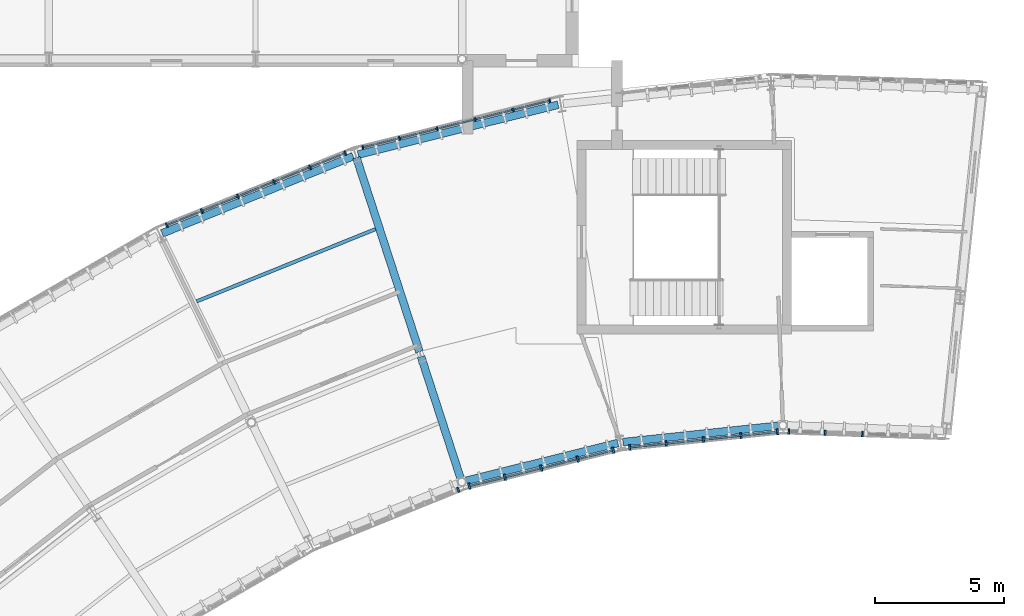
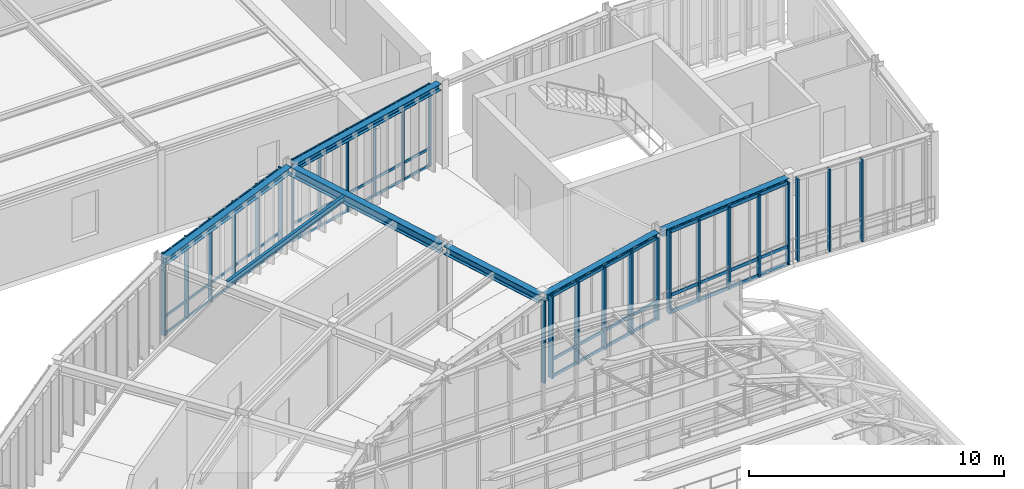
# One storey, part 87 of 148: 38 members, 7 beams, 6 elements without a shape of their own.
"""IFC4 building model written with IfcOpenShell, lengths in metres."""

from ifc_helpers import new_model, si_unit, direction, frame, origin, origin_2d, place, context, subcontext, project, spatial, rectangle, i_section, extrude, material, layer, layer_set, material_profile, profile_set, type_object, element, aggregate, save


model = new_model("IFC4")

# Units and contexts
model_context = context("Model", 3, precision=1e-05, world=origin(), true_north=direction((0.0, 1.0)))
body_context = subcontext(model_context, "Body", "Model", "MODEL_VIEW")
ifc_project = project(units=[si_unit("LENGTHUNIT", "METRE"), si_unit("AREAUNIT", "SQUARE_METRE"), si_unit("VOLUMEUNIT", "CUBIC_METRE"), si_unit("PLANEANGLEUNIT", "RADIAN"), si_unit("MASSUNIT", "GRAM", prefix="KILO"), si_unit("THERMODYNAMICTEMPERATUREUNIT", "KELVIN"), si_unit("POWERUNIT", "WATT")], contexts=[model_context])

# Site, building, storey
site_placement = place(None, origin())
site = spatial("IfcSite", under=ifc_project, at=site_placement, CompositionType="ELEMENT")
building_placement = place(site_placement, origin())
building = spatial("IfcBuilding", under=site, at=building_placement, Name="Solvatero Civic Police Headquarters", CompositionType="ELEMENT")
storey_placement = place(building_placement, frame((0.0, 0.0, 5.10009765625)))
storey = spatial("IfcBuildingStorey", under=building, at=storey_placement, Name="L01", CompositionType="ELEMENT", Elevation=5.10009765625)

# Beams
ifc_material_1 = material(Name="Steel S355", Category="steel")
ifc_material_profile_1 = material_profile(ifc_material_1, i_section(OverallWidth=0.300048828125, OverallDepth=0.2900390625, WebThickness=0.008544921875, FlangeThickness=0.013916015625, FilletRadius=0.027099609375, at=origin_2d()), Name="HEA 300")
ifc_profile_set_1 = profile_set([ifc_material_profile_1], Name="Steel S355")
beam_type_1 = type_object("IfcBeamType", Name="BM-ST-HEA300", PredefinedType="SPANDREL", material=ifc_profile_set_1)
for number, where, z_axis, x_axis, name in (
    (1, (92.31787109375, 71.31201171875, 3.8349609375), (-0.994518545743, -0.104560327912, 0.0), (0.104560327912, -0.994518545743, 0.0), "Perimeter / radial spandrel beam BM-R2-L01-ARC-CIN-B02"),
    (2, (86.028076171875, 70.63671875, 3.8349609375), (-0.970299338414, -0.241907407643, 0.0), (0.241907407643, -0.970299338414, 0.0), "Perimeter / radial spandrel beam BM-R2-L01-ARC-CIN-B03"),
):
    element("IfcBeam", number, at=place(storey_placement, frame(where, z_axis=z_axis, x_axis=x_axis)), inside=storey, type_object=beam_type_1, Name=name, PredefinedType="SPANDREL", context=body_context, shape_type="SweptSolid", body=[
        extrude(i_section(OverallWidth=0.300048828125, OverallDepth=0.2900390625, WebThickness=0.008544921875, FlangeThickness=0.013916015625, FilletRadius=0.027099609375, at=origin_2d()), origin(), (0.0, 0.0, 1.0), 6.126953125),
    ])
ifc_material_profile_2 = material_profile(ifc_material_1, i_section(OverallWidth=0.300048828125, OverallDepth=0.31005859375, WebThickness=0.009033203125, FlangeThickness=0.015380859375, FilletRadius=0.027099609375, at=origin_2d()), Name="HEA 320")
ifc_profile_set_2 = profile_set([ifc_material_profile_2], Name="Steel S355")
beam_type_2 = type_object("IfcBeamType", Name="BM-ST-HEA320", PredefinedType="SPANDREL", material=ifc_profile_set_2)
beam_1_placement = place(storey_placement, frame((83.718505859375, 83.73486328125, 3.824951171875), z_axis=(-0.970295230115, -0.241923885586, 0.0), x_axis=(0.241923885586, -0.970295230115, 0.0)))
element("IfcBeam", 3, at=beam_1_placement, inside=storey, type_object=beam_type_2, Name="Perimeter / radial spandrel beam BM-R2-L01-ARC-COUT-B03", PredefinedType="SPANDREL", context=body_context, shape_type="SweptSolid", body=[
    extrude(i_section(OverallWidth=0.300048828125, OverallDepth=0.31005859375, WebThickness=0.009033203125, FlangeThickness=0.015380859375, FilletRadius=0.027099609375, at=origin_2d()), origin(), (0.0, 0.0, 1.0), 7.982421875),
])
beam_2_placement = place(storey_placement, frame((75.783447265625, 81.741943359375, 3.824951171875), z_axis=(-0.927188731, -0.374594523594, 0.0), x_axis=(0.374594523594, -0.927188731, 0.0)))
element("IfcBeam", 4, at=beam_2_placement, inside=storey, type_object=beam_type_2, Name="Perimeter / radial spandrel beam BM-R2-L01-ARC-COUT-B04", PredefinedType="SPANDREL", context=body_context, shape_type="SweptSolid", body=[
    extrude(i_section(OverallWidth=0.300048828125, OverallDepth=0.31005859375, WebThickness=0.009033203125, FlangeThickness=0.015380859375, FilletRadius=0.027099609375, at=origin_2d()), origin(), (0.0, 0.0, 1.0), 7.982666015625),
])
ifc_material_profile_3 = material_profile(ifc_material_1, i_section(OverallWidth=0.300048828125, OverallDepth=0.389892578125, WebThickness=0.010986328125, FlangeThickness=0.01904296875, FilletRadius=0.027099609375, at=origin_2d()), Name="HEA 400")
ifc_profile_set_3 = profile_set([ifc_material_profile_3], Name="Steel S355")
beam_type_3 = type_object("IfcBeamType", Name="BM-ST-HEA400", PredefinedType="BEAM", material=ifc_profile_set_3)
beam_3_placement = place(storey_placement, frame((79.955078125, 69.2255859375, 3.784912109375), z_axis=(-0.308996636599, 0.951063130697, 0.0), x_axis=(-0.951063130697, -0.308996636599, 0.0)))
element("IfcBeam", 5, at=beam_3_placement, inside=storey, type_object=beam_type_3, Name="Primary girder BM-R2-L01-ARC-RAD1-S03", PredefinedType="BEAM", context=body_context, shape_type="SweptSolid", body=[
    extrude(i_section(OverallWidth=0.300048828125, OverallDepth=0.389892578125, WebThickness=0.010986328125, FlangeThickness=0.01904296875, FilletRadius=0.027099609375, at=origin_2d()), origin(), (0.0, 0.0, 1.0), 4.999755859375),
])
ifc_material_profile_4 = material_profile(ifc_material_1, i_section(OverallWidth=0.300048828125, OverallDepth=0.43994140625, WebThickness=0.011474609375, FlangeThickness=0.02099609375, FilletRadius=0.027099609375, at=origin_2d()), Name="HEA 450")
ifc_profile_set_4 = profile_set([ifc_material_profile_4], Name="Steel S355")
beam_type_4 = type_object("IfcBeamType", Name="BM-ST-HEA450", PredefinedType="BEAM", material=ifc_profile_set_4)
beam_4_placement = place(storey_placement, frame((78.348388671875, 74.1708984375, 3.760009765625), z_axis=(-0.309033663672, 0.951051099951, 0.0), x_axis=(-0.951051099951, -0.309033663672, 0.0)))
element("IfcBeam", 6, at=beam_4_placement, inside=storey, type_object=beam_type_4, Name="Primary girder BM-R2-L01-ARC-RAD2-S03", PredefinedType="BEAM", context=body_context, shape_type="SweptSolid", body=[
    extrude(i_section(OverallWidth=0.300048828125, OverallDepth=0.43994140625, WebThickness=0.011474609375, FlangeThickness=0.02099609375, FilletRadius=0.027099609375, at=origin_2d()), origin(), (0.0, 0.0, 1.0), 7.900146484375),
])
ifc_material_profile_5 = material_profile(ifc_material_1, i_section(OverallWidth=0.135009765625, OverallDepth=0.27001953125, WebThickness=0.006591796875, FlangeThickness=0.01025390625, FilletRadius=0.014892578125, at=origin_2d()), Name="IPE 270")
ifc_profile_set_5 = profile_set([ifc_material_profile_5], Name="Steel S355")
beam_type_5 = type_object("IfcBeamType", Name="BM-ST-IPE270", PredefinedType="BEAM", material=ifc_profile_set_5)
beam_5_placement = place(storey_placement, frame((76.648681640625, 78.91748046875, 3.844970703125), z_axis=(-0.92718880438, -0.374594341966, 0.0), x_axis=(0.374594341966, -0.92718880438, 0.0)))
element("IfcBeam", 7, at=beam_5_placement, inside=storey, type_object=beam_type_5, Name="Composite floor beam BM-R2-L01-ARC-CS2-B04", PredefinedType="BEAM", context=body_context, shape_type="SweptSolid", body=[
    extrude(i_section(OverallWidth=0.135009765625, OverallDepth=0.27001953125, WebThickness=0.006591796875, FlangeThickness=0.01025390625, FilletRadius=0.014892578125, at=origin_2d()), origin(), (0.0, 0.0, 1.0), 7.470947265625),
])

# Curtain wall, members
ifc_material_2 = material(Name="Anodized Bronze Aluminium", Category="aluminium")
ifc_layer_1 = layer(ifc_material_2, 0.179931640625)
ifc_layer_set_1 = layer_set([ifc_layer_1], Name="Anodized Bronze Aluminium")
curtain_wall_type_1 = type_object("IfcCurtainWallType", Name="CW-ARC-IN", PredefinedType="USERDEFINED", material=ifc_layer_set_1)
curtain_wall_1_placement = place(storey_placement, origin())
curtain_wall_1 = element("IfcCurtainWall", 8, at=curtain_wall_1_placement, inside=storey, type_object=curtain_wall_type_1, Name="Curtain Wall CW-R2-L01-ARC-IN-B03", ObjectType="UNITISED", PredefinedType="USERDEFINED")
ifc_material_profile_6 = material_profile(ifc_material_2, rectangle(XDim=0.080078125, YDim=0.239990234375, at=origin_2d()), Name="ALU MULLION 80x240")
ifc_profile_set_6 = profile_set([ifc_material_profile_6], Name="Anodized Bronze Aluminium")
member_type_1 = type_object("IfcMemberType", Name="CWM-140x60", PredefinedType="MULLION", material=ifc_profile_set_6)
member_1_placement = place(storey_placement, frame((85.848876953125, 70.355712890625, 0.0), z_axis=(0.0, 0.0, 1.0), x_axis=(-0.970299948462, -0.241904960708, 0.0)))
member_1 = element("IfcMember", 9, at=member_1_placement, type_object=member_type_1, Name="CW-R2-L01-ARC-IN-B03 Mullion 1", PredefinedType="MULLION", context=body_context, shape_type="SweptSolid", body=[
    extrude(rectangle(XDim=0.080078125, YDim=0.239990234375, at=origin_2d()), origin(), (0.0, 0.0, 1.0), 3.93994140625),
])
member_2_placement = place(storey_placement, frame((84.47509765625, 70.01318359375, 0.0), z_axis=(0.0, 0.0, 1.0), x_axis=(-0.970299948462, -0.241904960708, 0.0)))
member_2 = element("IfcMember", 10, at=member_2_placement, type_object=member_type_1, Name="CW-R2-L01-ARC-IN-B03 Mullion 2", PredefinedType="MULLION", context=body_context, shape_type="SweptSolid", body=[
    extrude(rectangle(XDim=0.080078125, YDim=0.239990234375, at=origin_2d()), origin(), (0.0, 0.0, 1.0), 3.93994140625),
])
member_3_placement = place(storey_placement, frame((83.0625, 69.660888671875, 0.0), z_axis=(0.0, 0.0, 1.0), x_axis=(-0.970299948462, -0.241904960708, 0.0)))
member_3 = element("IfcMember", 11, at=member_3_placement, type_object=member_type_1, Name="CW-R2-L01-ARC-IN-B03 Mullion 3", PredefinedType="MULLION", context=body_context, shape_type="SweptSolid", body=[
    extrude(rectangle(XDim=0.080078125, YDim=0.239990234375, at=origin_2d()), origin(), (0.0, 0.0, 1.0), 3.93994140625),
])
member_4_placement = place(storey_placement, frame((81.650146484375, 69.308837890625, 0.0), z_axis=(0.0, 0.0, 1.0), x_axis=(-0.970299948462, -0.241904960708, 0.0)))
member_4 = element("IfcMember", 12, at=member_4_placement, type_object=member_type_1, Name="CW-R2-L01-ARC-IN-B03 Mullion 4", PredefinedType="MULLION", context=body_context, shape_type="SweptSolid", body=[
    extrude(rectangle(XDim=0.080078125, YDim=0.239990234375, at=origin_2d()), origin(), (0.0, 0.0, 1.0), 3.93994140625),
])
member_5_placement = place(storey_placement, frame((80.2763671875, 68.96630859375, 0.0), z_axis=(0.0, 0.0, 1.0), x_axis=(-0.970299948462, -0.241904960708, 0.0)))
member_5 = element("IfcMember", 13, at=member_5_placement, type_object=member_type_1, Name="CW-R2-L01-ARC-IN-B03 Mullion 5", PredefinedType="MULLION", context=body_context, shape_type="SweptSolid", body=[
    extrude(rectangle(XDim=0.080078125, YDim=0.239990234375, at=origin_2d()), origin(), (0.0, 0.0, 1.0), 3.93994140625),
])

ifc_layer_2 = layer(ifc_material_2, 0.179931640625)
ifc_layer_set_2 = layer_set([ifc_layer_2], Name="Anodized Bronze Aluminium")
curtain_wall_type_2 = type_object("IfcCurtainWallType", Name="CW-ARC-OUT", PredefinedType="USERDEFINED", material=ifc_layer_set_2)
curtain_wall_2_placement = place(storey_placement, origin())
curtain_wall_2 = element("IfcCurtainWall", 14, at=curtain_wall_2_placement, inside=storey, type_object=curtain_wall_type_2, Name="Curtain Wall CW-R2-L01-ARC-OUT-B03", ObjectType="UNITISED", PredefinedType="USERDEFINED")
ifc_material_profile_7 = material_profile(ifc_material_2, rectangle(XDim=0.06005859375, YDim=0.139892578125, at=origin_2d()), Name="ALU MULLION 60x140")
ifc_profile_set_7 = profile_set([ifc_material_profile_7], Name="Anodized Bronze Aluminium")
member_type_2 = type_object("IfcMemberType", Name="CWM-160x65", PredefinedType="MULLION", material=ifc_profile_set_7)
member_6_placement = place(storey_placement, frame((83.391357421875, 83.8896484375, 0.0), z_axis=(0.0, 0.0, 1.0), x_axis=(-0.970295726276, -0.2419218956, 0.0)))
member_6 = element("IfcMember", 15, at=member_6_placement, type_object=member_type_2, Name="CW-R2-L01-ARC-OUT-B03 Mullion 1", PredefinedType="MULLION", context=body_context, shape_type="SweptSolid", body=[
    extrude(rectangle(XDim=0.06005859375, YDim=0.139892578125, at=origin_2d()), origin(), (0.0, 0.0, 1.0), 3.93994140625),
])
member_7_placement = place(storey_placement, frame((81.966796875, 83.53466796875, 0.0), z_axis=(0.0, 0.0, 1.0), x_axis=(-0.970295726276, -0.2419218956, 0.0)))
member_7 = element("IfcMember", 16, at=member_7_placement, type_object=member_type_2, Name="CW-R2-L01-ARC-OUT-B03 Mullion 2", PredefinedType="MULLION", context=body_context, shape_type="SweptSolid", body=[
    extrude(rectangle(XDim=0.06005859375, YDim=0.139892578125, at=origin_2d()), origin(), (0.0, 0.0, 1.0), 3.93994140625),
])
member_8_placement = place(storey_placement, frame((80.503662109375, 83.169677734375, 0.0), z_axis=(0.0, 0.0, 1.0), x_axis=(-0.970295726276, -0.2419218956, 0.0)))
member_8 = element("IfcMember", 17, at=member_8_placement, type_object=member_type_2, Name="CW-R2-L01-ARC-OUT-B03 Mullion 3", PredefinedType="MULLION", context=body_context, shape_type="SweptSolid", body=[
    extrude(rectangle(XDim=0.06005859375, YDim=0.139892578125, at=origin_2d()), origin(), (0.0, 0.0, 1.0), 3.93994140625),
])
member_9_placement = place(storey_placement, frame((79.040283203125, 82.804931640625, 0.0), z_axis=(0.0, 0.0, 1.0), x_axis=(-0.970295726276, -0.2419218956, 0.0)))
member_9 = element("IfcMember", 18, at=member_9_placement, type_object=member_type_2, Name="CW-R2-L01-ARC-OUT-B03 Mullion 4", PredefinedType="MULLION", context=body_context, shape_type="SweptSolid", body=[
    extrude(rectangle(XDim=0.06005859375, YDim=0.139892578125, at=origin_2d()), origin(), (0.0, 0.0, 1.0), 3.93994140625),
])
member_10_placement = place(storey_placement, frame((77.5771484375, 82.43994140625, 0.0), z_axis=(0.0, 0.0, 1.0), x_axis=(-0.970295726276, -0.2419218956, 0.0)))
member_10 = element("IfcMember", 19, at=member_10_placement, type_object=member_type_2, Name="CW-R2-L01-ARC-OUT-B03 Mullion 5", PredefinedType="MULLION", context=body_context, shape_type="SweptSolid", body=[
    extrude(rectangle(XDim=0.06005859375, YDim=0.139892578125, at=origin_2d()), origin(), (0.0, 0.0, 1.0), 3.93994140625),
])
member_11_placement = place(storey_placement, frame((76.152587890625, 82.0849609375, 0.0), z_axis=(0.0, 0.0, 1.0), x_axis=(-0.970295726276, -0.2419218956, 0.0)))
member_11 = element("IfcMember", 20, at=member_11_placement, type_object=member_type_2, Name="CW-R2-L01-ARC-OUT-B03 Mullion 6", PredefinedType="MULLION", context=body_context, shape_type="SweptSolid", body=[
    extrude(rectangle(XDim=0.06005859375, YDim=0.139892578125, at=origin_2d()), origin(), (0.0, 0.0, 1.0), 3.93994140625),
])

curtain_wall_3_placement = place(storey_placement, origin())
curtain_wall_3 = element("IfcCurtainWall", 21, at=curtain_wall_3_placement, inside=storey, type_object=curtain_wall_type_2, Name="Curtain Wall CW-R2-L01-ARC-OUT-B04", ObjectType="UNITISED", PredefinedType="USERDEFINED")
ifc_material_profile_8 = material_profile(ifc_material_2, rectangle(XDim=0.06494140625, YDim=0.179931640625, at=origin_2d()), Name="ALU MULLION 65x180")
ifc_profile_set_8 = profile_set([ifc_material_profile_8], Name="Anodized Bronze Aluminium")
member_type_3 = type_object("IfcMemberType", Name="CWM-200x75", PredefinedType="MULLION", material=ifc_profile_set_8)
member_12_placement = place(storey_placement, frame((75.47314453125, 81.864013671875, 0.0), z_axis=(0.0, 0.0, 1.0), x_axis=(-0.927183854567, -0.374606593416, 0.0)))
member_12 = element("IfcMember", 22, at=member_12_placement, type_object=member_type_3, Name="CW-R2-L01-ARC-OUT-B04 Mullion 1", PredefinedType="MULLION", context=body_context, shape_type="SweptSolid", body=[
    extrude(rectangle(XDim=0.06494140625, YDim=0.179931640625, at=origin_2d()), origin(), (0.0, 0.0, 1.0), 3.93994140625),
])
member_13_placement = place(storey_placement, frame((74.11376953125, 81.31494140625, 0.0), z_axis=(0.0, 0.0, 1.0), x_axis=(-0.927183854567, -0.374606593416, 0.0)))
member_13 = element("IfcMember", 23, at=member_13_placement, type_object=member_type_3, Name="CW-R2-L01-ARC-OUT-B04 Mullion 2", PredefinedType="MULLION", context=body_context, shape_type="SweptSolid", body=[
    extrude(rectangle(XDim=0.06494140625, YDim=0.179931640625, at=origin_2d()), origin(), (0.0, 0.0, 1.0), 3.93994140625),
])
member_14_placement = place(storey_placement, frame((72.71728515625, 80.750732421875, 0.0), z_axis=(0.0, 0.0, 1.0), x_axis=(-0.927183854567, -0.374606593416, 0.0)))
member_14 = element("IfcMember", 24, at=member_14_placement, type_object=member_type_3, Name="CW-R2-L01-ARC-OUT-B04 Mullion 3", PredefinedType="MULLION", context=body_context, shape_type="SweptSolid", body=[
    extrude(rectangle(XDim=0.06494140625, YDim=0.179931640625, at=origin_2d()), origin(), (0.0, 0.0, 1.0), 3.93994140625),
])
member_15_placement = place(storey_placement, frame((71.32080078125, 80.1865234375, 0.0), z_axis=(0.0, 0.0, 1.0), x_axis=(-0.927183854567, -0.374606593416, 0.0)))
member_15 = element("IfcMember", 25, at=member_15_placement, type_object=member_type_3, Name="CW-R2-L01-ARC-OUT-B04 Mullion 4", PredefinedType="MULLION", context=body_context, shape_type="SweptSolid", body=[
    extrude(rectangle(XDim=0.06494140625, YDim=0.179931640625, at=origin_2d()), origin(), (0.0, 0.0, 1.0), 3.93994140625),
])
member_16_placement = place(storey_placement, frame((69.924560546875, 79.622314453125, 0.0), z_axis=(0.0, 0.0, 1.0), x_axis=(-0.927183854567, -0.374606593416, 0.0)))
member_16 = element("IfcMember", 26, at=member_16_placement, type_object=member_type_3, Name="CW-R2-L01-ARC-OUT-B04 Mullion 5", PredefinedType="MULLION", context=body_context, shape_type="SweptSolid", body=[
    extrude(rectangle(XDim=0.06494140625, YDim=0.179931640625, at=origin_2d()), origin(), (0.0, 0.0, 1.0), 3.93994140625),
])
member_17_placement = place(storey_placement, frame((68.565185546875, 79.072998046875, 0.0), z_axis=(0.0, 0.0, 1.0), x_axis=(-0.927183854567, -0.374606593416, 0.0)))
member_17 = element("IfcMember", 27, at=member_17_placement, type_object=member_type_3, Name="CW-R2-L01-ARC-OUT-B04 Mullion 6", PredefinedType="MULLION", context=body_context, shape_type="SweptSolid", body=[
    extrude(rectangle(XDim=0.06494140625, YDim=0.179931640625, at=origin_2d()), origin(), (0.0, 0.0, 1.0), 3.93994140625),
])

curtain_wall_4_placement = place(storey_placement, origin())
curtain_wall_4 = element("IfcCurtainWall", 28, at=curtain_wall_4_placement, inside=storey, type_object=curtain_wall_type_1, Name="Curtain Wall CW-R2-L01-ARC-IN-B01", ObjectType="UNITISED", PredefinedType="USERDEFINED")
ifc_material_profile_9 = material_profile(ifc_material_2, rectangle(XDim=0.070068359375, YDim=0.199951171875, at=origin_2d()), Name="ALU MULLION 70x200")
ifc_profile_set_9 = profile_set([ifc_material_profile_9], Name="Anodized Bronze Aluminium")
member_type_4 = type_object("IfcMemberType", Name="CWM-220x80", PredefinedType="MULLION", material=ifc_profile_set_9)
member_18_placement = place(storey_placement, frame((95.496826171875, 70.9853515625, 0.0), z_axis=(0.0, 0.0, 1.0), x_axis=(-0.999390827019, 0.034899496703, 0.0)))
member_18 = element("IfcMember", 29, at=member_18_placement, type_object=member_type_4, Name="CW-R2-L01-ARC-IN-B01 Mullion 3", PredefinedType="MULLION", context=body_context, shape_type="SweptSolid", body=[
    extrude(rectangle(XDim=0.070068359375, YDim=0.199951171875, at=origin_2d()), origin(), (0.0, 0.0, 1.0), 3.93994140625),
])
member_19_placement = place(storey_placement, frame((94.053955078125, 71.03564453125, 0.0), z_axis=(0.0, 0.0, 1.0), x_axis=(-0.999390827019, 0.034899496703, 0.0)))
member_19 = element("IfcMember", 30, at=member_19_placement, type_object=member_type_4, Name="CW-R2-L01-ARC-IN-B01 Mullion 4", PredefinedType="MULLION", context=body_context, shape_type="SweptSolid", body=[
    extrude(rectangle(XDim=0.070068359375, YDim=0.199951171875, at=origin_2d()), origin(), (0.0, 0.0, 1.0), 3.93994140625),
])
member_20_placement = place(storey_placement, frame((92.651123046875, 71.084716796875, 0.0), z_axis=(0.0, 0.0, 1.0), x_axis=(-0.999390827019, 0.034899496703, 0.0)))
member_20 = element("IfcMember", 31, at=member_20_placement, type_object=member_type_4, Name="CW-R2-L01-ARC-IN-B01 Mullion 5", PredefinedType="MULLION", context=body_context, shape_type="SweptSolid", body=[
    extrude(rectangle(XDim=0.070068359375, YDim=0.199951171875, at=origin_2d()), origin(), (0.0, 0.0, 1.0), 3.93994140625),
])
aggregate(curtain_wall_4, [member_18, member_19, member_20])

# Curtain wall, member
curtain_wall_5_placement = place(storey_placement, origin())
curtain_wall_5 = element("IfcCurtainWall", 32, at=curtain_wall_5_placement, inside=storey, type_object=curtain_wall_type_1, Name="Curtain Wall CW-R2-L01-ARC-IN-B04", ObjectType="UNITISED", PredefinedType="USERDEFINED")
member_21_placement = place(storey_placement, frame((79.84765625, 68.8271484375, 0.0), z_axis=(0.0, 0.0, 1.0), x_axis=(-0.927183854567, -0.374606593416, 0.0)))
member_21 = element("IfcMember", 33, at=member_21_placement, type_object=member_type_4, Name="CW-R2-L01-ARC-IN-B04 Mullion 1", PredefinedType="MULLION", context=body_context, shape_type="SweptSolid", body=[
    extrude(rectangle(XDim=0.070068359375, YDim=0.199951171875, at=origin_2d()), origin(), (0.0, 0.0, 1.0), 3.93994140625),
])
aggregate(curtain_wall_5, [member_21])

# Curtain wall, members
curtain_wall_6_placement = place(storey_placement, origin())
curtain_wall_6 = element("IfcCurtainWall", 34, at=curtain_wall_6_placement, inside=storey, type_object=curtain_wall_type_1, Name="Curtain Wall CW-R2-L01-ARC-IN-B02", ObjectType="UNITISED", PredefinedType="USERDEFINED")
ifc_material_profile_10 = material_profile(ifc_material_2, rectangle(XDim=0.074951171875, YDim=0.219970703125, at=origin_2d()), Name="ALU MULLION 75x220")
ifc_profile_set_10 = profile_set([ifc_material_profile_10], Name="Anodized Bronze Aluminium")
member_type_5 = type_object("IfcMemberType", Name="CWM-250x85", PredefinedType="MULLION", material=ifc_profile_set_10)
member_22_placement = place(storey_placement, frame((92.20068359375, 71.06884765625, 0.0), z_axis=(0.0, 0.0, 1.0), x_axis=(-0.994521895368, -0.104528463268, 0.0)))
member_22 = element("IfcMember", 35, at=member_22_placement, type_object=member_type_5, Name="CW-R2-L01-ARC-IN-B02 Mullion 1", PredefinedType="MULLION", context=body_context, shape_type="SweptSolid", body=[
    extrude(rectangle(XDim=0.074951171875, YDim=0.219970703125, at=origin_2d()), origin(), (0.0, 0.0, 1.0), 3.93994140625),
])
member_23_placement = place(storey_placement, frame((90.79248046875, 70.9208984375, 0.0), z_axis=(0.0, 0.0, 1.0), x_axis=(-0.994521895368, -0.104528463268, 0.0)))
member_23 = element("IfcMember", 36, at=member_23_placement, type_object=member_type_5, Name="CW-R2-L01-ARC-IN-B02 Mullion 2", PredefinedType="MULLION", context=body_context, shape_type="SweptSolid", body=[
    extrude(rectangle(XDim=0.074951171875, YDim=0.219970703125, at=origin_2d()), origin(), (0.0, 0.0, 1.0), 3.93994140625),
])
member_24_placement = place(storey_placement, frame((89.344970703125, 70.768798828125, 0.0), z_axis=(0.0, 0.0, 1.0), x_axis=(-0.994521895368, -0.104528463268, 0.0)))
member_24 = element("IfcMember", 37, at=member_24_placement, type_object=member_type_5, Name="CW-R2-L01-ARC-IN-B02 Mullion 3", PredefinedType="MULLION", context=body_context, shape_type="SweptSolid", body=[
    extrude(rectangle(XDim=0.074951171875, YDim=0.219970703125, at=origin_2d()), origin(), (0.0, 0.0, 1.0), 3.93994140625),
])
member_25_placement = place(storey_placement, frame((87.897216796875, 70.61669921875, 0.0), z_axis=(0.0, 0.0, 1.0), x_axis=(-0.994521895368, -0.104528463268, 0.0)))
member_25 = element("IfcMember", 38, at=member_25_placement, type_object=member_type_5, Name="CW-R2-L01-ARC-IN-B02 Mullion 4", PredefinedType="MULLION", context=body_context, shape_type="SweptSolid", body=[
    extrude(rectangle(XDim=0.074951171875, YDim=0.219970703125, at=origin_2d()), origin(), (0.0, 0.0, 1.0), 3.93994140625),
])
member_26_placement = place(storey_placement, frame((86.4892578125, 70.468505859375, 0.0), z_axis=(0.0, 0.0, 1.0), x_axis=(-0.994521895368, -0.104528463268, 0.0)))
member_26 = element("IfcMember", 39, at=member_26_placement, type_object=member_type_5, Name="CW-R2-L01-ARC-IN-B02 Mullion 5", PredefinedType="MULLION", context=body_context, shape_type="SweptSolid", body=[
    extrude(rectangle(XDim=0.074951171875, YDim=0.219970703125, at=origin_2d()), origin(), (0.0, 0.0, 1.0), 3.93994140625),
])
ifc_material_profile_11 = material_profile(ifc_material_2, rectangle(XDim=0.070068359375, YDim=0.159912109375, at=origin_2d()), Name="ALU TRANSOM 70x160")
ifc_profile_set_11 = profile_set([ifc_material_profile_11], Name="Anodized Bronze Aluminium")
member_type_6 = type_object("IfcMemberType", Name="CWT-120x55", PredefinedType="USERDEFINED", material=ifc_profile_set_11)
member_27_placement = place(storey_placement, frame((92.190673828125, 71.06787109375, 0.039794921875), z_axis=(-0.994518768627, -0.104558207949, 0.0), x_axis=(0.104558207949, -0.994518768627, 0.0)))
member_27 = element("IfcMember", 40, at=member_27_placement, type_object=member_type_6, Name="CW-R2-L01-ARC-IN-B02 Transom 1", ObjectType="TRANSOM", PredefinedType="USERDEFINED", context=body_context, shape_type="SweptSolid", body=[
    extrude(rectangle(XDim=0.070068359375, YDim=0.159912109375, at=origin_2d()), origin(), (0.0, 0.0, 1.0), 5.722900390625),
])
member_28_placement = place(storey_placement, frame((92.190673828125, 71.06787109375, 0.849853515625), z_axis=(-0.994518768627, -0.104558207949, 0.0), x_axis=(0.104558207949, -0.994518768627, 0.0)))
member_28 = element("IfcMember", 41, at=member_28_placement, type_object=member_type_6, Name="CW-R2-L01-ARC-IN-B02 Transom 2", ObjectType="TRANSOM", PredefinedType="USERDEFINED", context=body_context, shape_type="SweptSolid", body=[
    extrude(rectangle(XDim=0.070068359375, YDim=0.159912109375, at=origin_2d()), origin(), (0.0, 0.0, 1.0), 5.722900390625),
])
member_29_placement = place(storey_placement, frame((92.190673828125, 71.06787109375, 3.89990234375), z_axis=(-0.994518768627, -0.104558207949, 0.0), x_axis=(0.104558207949, -0.994518768627, 0.0)))
member_29 = element("IfcMember", 42, at=member_29_placement, type_object=member_type_6, Name="CW-R2-L01-ARC-IN-B02 Transom 3", ObjectType="TRANSOM", PredefinedType="USERDEFINED", context=body_context, shape_type="SweptSolid", body=[
    extrude(rectangle(XDim=0.070068359375, YDim=0.159912109375, at=origin_2d()), origin(), (0.0, 0.0, 1.0), 5.722900390625),
])
aggregate(curtain_wall_6, [member_22, member_23, member_24, member_25, member_26, member_27, member_28, member_29])

# Member
ifc_material_profile_12 = material_profile(ifc_material_2, rectangle(XDim=0.06005859375, YDim=0.110107421875, at=origin_2d()), Name="ALU TRANSOM 60x110")
ifc_profile_set_12 = profile_set([ifc_material_profile_12], Name="Anodized Bronze Aluminium")
member_type_7 = type_object("IfcMemberType", Name="CWT-140x60", PredefinedType="USERDEFINED", material=ifc_profile_set_12)
member_30_placement = place(storey_placement, frame((75.4638671875, 81.8603515625, 0.039794921875), z_axis=(-0.927186320329, -0.374600490381, 0.0), x_axis=(0.374600490381, -0.927186320329, 0.0)))
member_30 = element("IfcMember", 43, at=member_30_placement, type_object=member_type_7, Name="CW-R2-L01-ARC-OUT-B04 Transom 1", ObjectType="TRANSOM", PredefinedType="USERDEFINED", context=body_context, shape_type="SweptSolid", body=[
    extrude(rectangle(XDim=0.06005859375, YDim=0.110107421875, at=origin_2d()), origin(), (0.0, 0.0, 1.0), 7.430419921875),
])

member_31_placement = place(storey_placement, frame((75.4638671875, 81.8603515625, 0.849853515625), z_axis=(-0.927186320329, -0.374600490381, 0.0), x_axis=(0.374600490381, -0.927186320329, 0.0)))
member_31 = element("IfcMember", 44, at=member_31_placement, type_object=member_type_7, Name="CW-R2-L01-ARC-OUT-B04 Transom 2", ObjectType="TRANSOM", PredefinedType="USERDEFINED", context=body_context, shape_type="SweptSolid", body=[
    extrude(rectangle(XDim=0.06005859375, YDim=0.110107421875, at=origin_2d()), origin(), (0.0, 0.0, 1.0), 7.430419921875),
])

member_32_placement = place(storey_placement, frame((75.4638671875, 81.8603515625, 3.89990234375), z_axis=(-0.927186320329, -0.374600490381, 0.0), x_axis=(0.374600490381, -0.927186320329, 0.0)))
member_32 = element("IfcMember", 45, at=member_32_placement, type_object=member_type_7, Name="CW-R2-L01-ARC-OUT-B04 Transom 3", ObjectType="TRANSOM", PredefinedType="USERDEFINED", context=body_context, shape_type="SweptSolid", body=[
    extrude(rectangle(XDim=0.06005859375, YDim=0.110107421875, at=origin_2d()), origin(), (0.0, 0.0, 1.0), 7.430419921875),
])

aggregate(curtain_wall_3, [member_12, member_13, member_14, member_15, member_16, member_17, member_30, member_31, member_32])

ifc_material_profile_13 = material_profile(ifc_material_2, rectangle(XDim=0.06005859375, YDim=0.125, at=origin_2d()), Name="ALU TRANSOM 60x125")
ifc_profile_set_13 = profile_set([ifc_material_profile_13], Name="Anodized Bronze Aluminium")
member_type_8 = type_object("IfcMemberType", Name="CWT-160x65", PredefinedType="USERDEFINED", material=ifc_profile_set_13)
member_33_placement = place(storey_placement, frame((83.381591796875, 83.88720703125, 0.039794921875), z_axis=(-0.970300571322, -0.241902462353, 0.0), x_axis=(0.241902462353, -0.970300571322, 0.0)))
member_33 = element("IfcMember", 46, at=member_33_placement, type_object=member_type_8, Name="CW-R2-L01-ARC-OUT-B03 Transom 1", ObjectType="TRANSOM", PredefinedType="USERDEFINED", context=body_context, shape_type="SweptSolid", body=[
    extrude(rectangle(XDim=0.06005859375, YDim=0.125, at=origin_2d()), origin(), (0.0, 0.0, 1.0), 7.440185546875),
])

member_34_placement = place(storey_placement, frame((83.381591796875, 83.88720703125, 0.849853515625), z_axis=(-0.970300571322, -0.241902462353, 0.0), x_axis=(0.241902462353, -0.970300571322, 0.0)))
member_34 = element("IfcMember", 47, at=member_34_placement, type_object=member_type_8, Name="CW-R2-L01-ARC-OUT-B03 Transom 2", ObjectType="TRANSOM", PredefinedType="USERDEFINED", context=body_context, shape_type="SweptSolid", body=[
    extrude(rectangle(XDim=0.06005859375, YDim=0.125, at=origin_2d()), origin(), (0.0, 0.0, 1.0), 7.440185546875),
])

member_35_placement = place(storey_placement, frame((83.381591796875, 83.88720703125, 3.89990234375), z_axis=(-0.970300571322, -0.241902462353, 0.0), x_axis=(0.241902462353, -0.970300571322, 0.0)))
member_35 = element("IfcMember", 48, at=member_35_placement, type_object=member_type_8, Name="CW-R2-L01-ARC-OUT-B03 Transom 3", ObjectType="TRANSOM", PredefinedType="USERDEFINED", context=body_context, shape_type="SweptSolid", body=[
    extrude(rectangle(XDim=0.06005859375, YDim=0.125, at=origin_2d()), origin(), (0.0, 0.0, 1.0), 7.440185546875),
])

aggregate(curtain_wall_2, [member_6, member_7, member_8, member_9, member_10, member_11, member_33, member_34, member_35])

ifc_material_profile_14 = material_profile(ifc_material_2, rectangle(XDim=0.06494140625, YDim=0.139892578125, at=origin_2d()), Name="ALU TRANSOM 65x140")
ifc_profile_set_14 = profile_set([ifc_material_profile_14], Name="Anodized Bronze Aluminium")
member_type_9 = type_object("IfcMemberType", Name="CWT-180x70", PredefinedType="USERDEFINED", material=ifc_profile_set_14)
member_36_placement = place(storey_placement, frame((85.839111328125, 70.353271484375, 0.039794921875), z_axis=(-0.970295380046, -0.241923284249, 0.0), x_axis=(0.241923284249, -0.970295380046, 0.0)))
member_36 = element("IfcMember", 49, at=member_36_placement, type_object=member_type_9, Name="CW-R2-L01-ARC-IN-B03 Transom 1", ObjectType="TRANSOM", PredefinedType="USERDEFINED", context=body_context, shape_type="SweptSolid", body=[
    extrude(rectangle(XDim=0.06494140625, YDim=0.139892578125, at=origin_2d()), origin(), (0.0, 0.0, 1.0), 5.722900390625),
])

member_37_placement = place(storey_placement, frame((85.839111328125, 70.353271484375, 0.849853515625), z_axis=(-0.970295380046, -0.241923284249, 0.0), x_axis=(0.241923284249, -0.970295380046, 0.0)))
member_37 = element("IfcMember", 50, at=member_37_placement, type_object=member_type_9, Name="CW-R2-L01-ARC-IN-B03 Transom 2", ObjectType="TRANSOM", PredefinedType="USERDEFINED", context=body_context, shape_type="SweptSolid", body=[
    extrude(rectangle(XDim=0.06494140625, YDim=0.139892578125, at=origin_2d()), origin(), (0.0, 0.0, 1.0), 5.722900390625),
])

member_38_placement = place(storey_placement, frame((85.839111328125, 70.353271484375, 3.89990234375), z_axis=(-0.970295380046, -0.241923284249, 0.0), x_axis=(0.241923284249, -0.970295380046, 0.0)))
member_38 = element("IfcMember", 51, at=member_38_placement, type_object=member_type_9, Name="CW-R2-L01-ARC-IN-B03 Transom 3", ObjectType="TRANSOM", PredefinedType="USERDEFINED", context=body_context, shape_type="SweptSolid", body=[
    extrude(rectangle(XDim=0.06494140625, YDim=0.139892578125, at=origin_2d()), origin(), (0.0, 0.0, 1.0), 5.722900390625),
])

aggregate(curtain_wall_1, [member_1, member_2, member_3, member_4, member_5, member_36, member_37, member_38])

save(model, "model.ifc")
